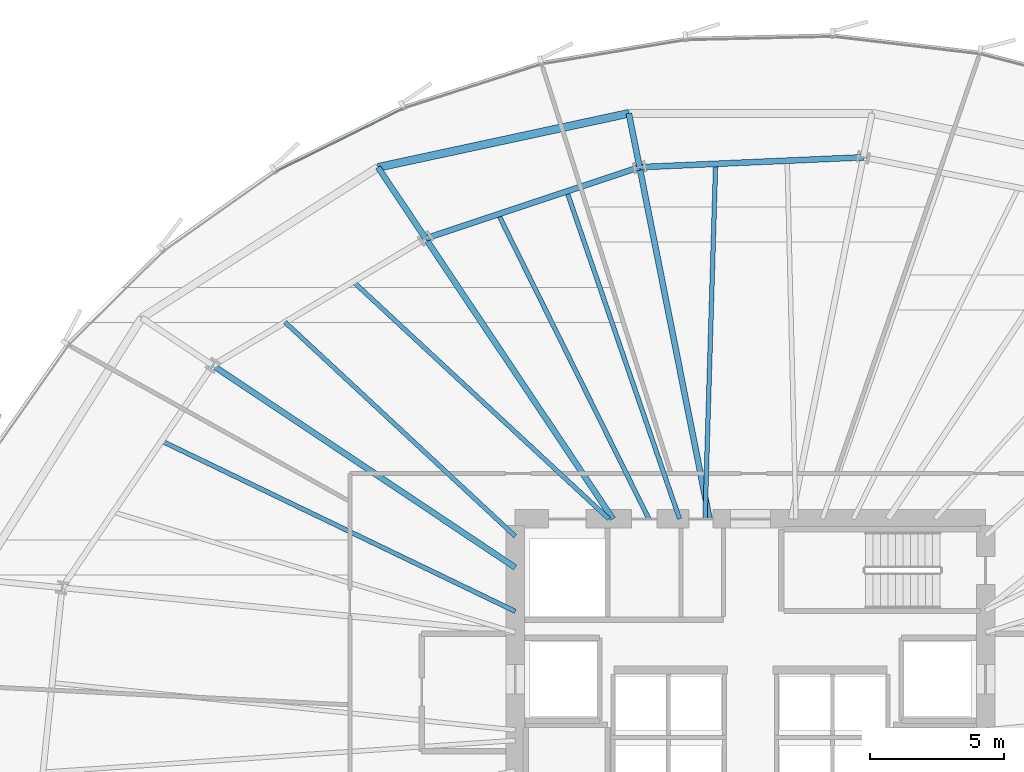
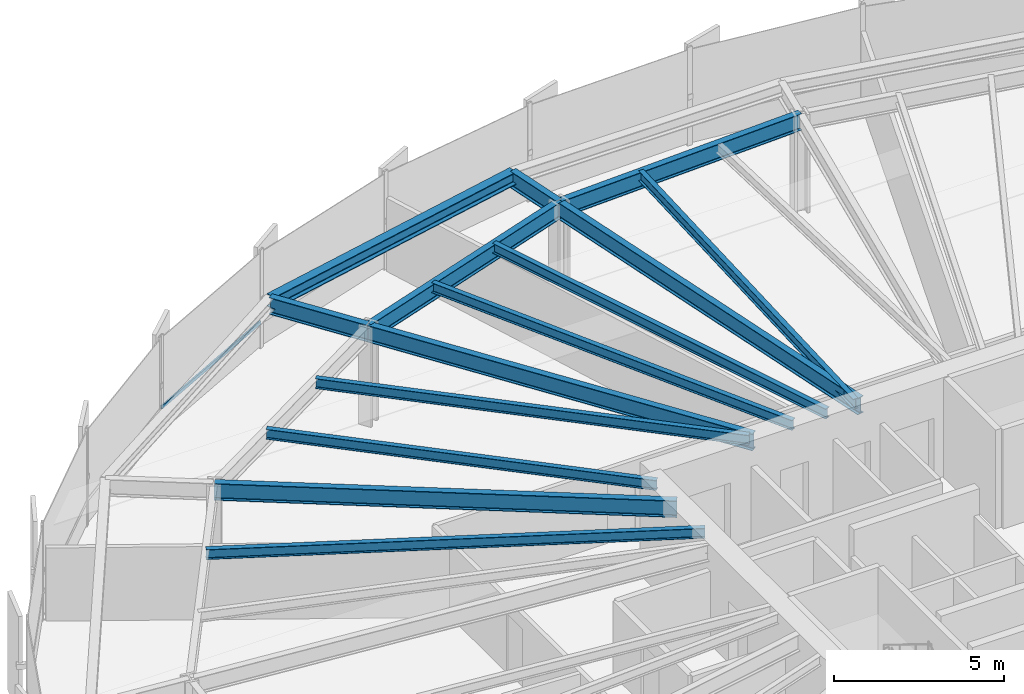
# One storey, part 20 of 38: 14 beams, 1 member, 1 element without a shape of its own.
"""IFC4 building model written with IfcOpenShell, lengths in metres."""

from ifc_helpers import new_model, si_unit, direction, frame, origin, origin_2d, place, context, subcontext, project, spatial, hollow_rectangle, i_section, extrude, source, transform, mapped, material, layer, layer_set, material_profile, profile_set, type_object, element, aggregate, save


model = new_model("IFC4")

# Units and contexts
model_context = context("Model", 3, precision=1e-05, world=origin(), true_north=direction((0.0, 1.0)))
body_context = subcontext(model_context, "Body", "Model", "MODEL_VIEW")
ifc_project = project(units=[si_unit("LENGTHUNIT", "METRE"), si_unit("AREAUNIT", "SQUARE_METRE"), si_unit("VOLUMEUNIT", "CUBIC_METRE"), si_unit("PLANEANGLEUNIT", "RADIAN"), si_unit("MASSUNIT", "GRAM", prefix="KILO"), si_unit("THERMODYNAMICTEMPERATUREUNIT", "KELVIN")], contexts=[model_context])

# Site, building, storey
site_placement = place(None, origin())
site = spatial("IfcSite", under=ifc_project, at=site_placement, CompositionType="ELEMENT")
building_placement = place(site_placement, origin())
building = spatial("IfcBuilding", under=site, at=building_placement, Name="Kethvar Cultural Tower", CompositionType="ELEMENT")
storey_placement = place(building_placement, frame((0.0, 0.0, 52.39990234375)))
storey = spatial("IfcBuildingStorey", under=building, at=storey_placement, Name="L12", CompositionType="ELEMENT", Elevation=52.39990234375)

# Beams
ifc_material_1 = material(Name="Steel S355J2", Category="steel")
ifc_material_profile_1 = material_profile(ifc_material_1, i_section(OverallWidth=0.219970703125, OverallDepth=0.60009765625, WebThickness=0.011962890625, FlangeThickness=0.01904296875, FilletRadius=0.02392578125, at=origin_2d()), Name="Steel S355J2 — IPE600")
ifc_profile_set_1 = profile_set([ifc_material_profile_1], Name="Steel S355J2 — IPE600")
beam_type_1 = type_object("IfcBeamType", Name="BM-IPE600", PredefinedType="BEAM", material=ifc_profile_set_1)
shared_shape_1 = source(origin(), body_context, "Body", "SweptSolid", [
    extrude(i_section(OverallWidth=0.219970703125, OverallDepth=0.60009765625, WebThickness=0.011962890625, FlangeThickness=0.01904296875, FilletRadius=0.02392578125, at=origin_2d()), origin(), (0.0, 0.0, 1.0), 3.199951171875),
])
beam_1_placement = place(storey_placement, frame((34.64599609375, 45.98974609375, 3.248046875), z_axis=(-0.555580212716, 0.831462943996, 0.0), x_axis=(-0.831462943996, -0.555580212716, 0.0)))
element("IfcBeam", 1, at=beam_1_placement, inside=storey, type_object=beam_type_1, Name="L12 Perimeter Cantilever Beam RC-06", PredefinedType="BEAM", context=body_context, shape_type="MappedRepresentation", body=[
    mapped(shared_shape_1, transform((0.0, 0.0, 0.0), scale=1.0)),
])
shared_shape_2 = source(origin(), body_context, "Body", "SweptSolid", [
    extrude(i_section(OverallWidth=0.219970703125, OverallDepth=0.60009765625, WebThickness=0.011962890625, FlangeThickness=0.01904296875, FilletRadius=0.02392578125, at=origin_2d()), origin(), (0.0, 0.0, 1.0), 13.41357421875),
])
beam_2_placement = place(storey_placement, frame((45.268310546875, 35.5, 3.248046875), z_axis=(-0.195079960025, 0.980787341474, 0.0), x_axis=(-0.980787341474, -0.195079960025, 0.0)))
element("IfcBeam", 2, at=beam_2_placement, inside=storey, type_object=beam_type_1, Name="L12 Primary Radial Beam RB-05", PredefinedType="BEAM", context=body_context, shape_type="MappedRepresentation", body=[
    mapped(shared_shape_2, transform((0.0, 0.0, 0.0), scale=1.0)),
])
shared_shape_3 = source(origin(), body_context, "Body", "SweptSolid", [
    extrude(i_section(OverallWidth=0.219970703125, OverallDepth=0.60009765625, WebThickness=0.011962890625, FlangeThickness=0.01904296875, FilletRadius=0.02392578125, at=origin_2d()), origin(), (0.0, 0.0, 1.0), 12.615966796875),
])
beam_3_placement = place(storey_placement, frame((41.655029296875, 35.5, 3.248046875), z_axis=(-0.555570723257, 0.831469284736, 0.0), x_axis=(-0.831469284736, -0.555570723257, 0.0)))
element("IfcBeam", 3, at=beam_3_placement, inside=storey, type_object=beam_type_1, Name="L12 Primary Radial Beam RB-06", PredefinedType="BEAM", context=body_context, shape_type="MappedRepresentation", body=[
    mapped(shared_shape_3, transform((0.0, 0.0, 0.0), scale=1.0)),
])
shared_shape_4 = source(origin(), body_context, "Body", "SweptSolid", [
    extrude(i_section(OverallWidth=0.219970703125, OverallDepth=0.60009765625, WebThickness=0.011962890625, FlangeThickness=0.01904296875, FilletRadius=0.02392578125, at=origin_2d()), origin(), (0.0, 0.0, 1.0), 13.60888671875),
])
beam_4_placement = place(storey_placement, frame((38.0, 33.679931640625, 3.248046875), z_axis=(-0.831467486755, 0.555573414113, 0.0), x_axis=(-0.555573414113, -0.831467486755, 0.0)))
element("IfcBeam", 4, at=beam_4_placement, inside=storey, type_object=beam_type_1, Name="L12 Primary Radial Beam RB-07", PredefinedType="BEAM", context=body_context, shape_type="MappedRepresentation", body=[
    mapped(shared_shape_4, transform((0.0, 0.0, 0.0), scale=1.0)),
])
shared_shape_5 = source(origin(), body_context, "Body", "SweptSolid", [
    extrude(i_section(OverallWidth=0.219970703125, OverallDepth=0.60009765625, WebThickness=0.011962890625, FlangeThickness=0.01904296875, FilletRadius=0.02392578125, at=origin_2d()), origin(), (0.0, 0.0, 1.0), 8.378662109375),
])
beam_5_placement = place(storey_placement, frame((51.022216796875, 49.02587890625, 3.248046875), z_axis=(-0.999023890534, -0.04417313825, 0.0), x_axis=(0.04417313825, -0.999023890534, 0.0)))
element("IfcBeam", 5, at=beam_5_placement, inside=storey, type_object=beam_type_1, Name="L12 Column Ring Tie Beam CR-04", PredefinedType="BEAM", context=body_context, shape_type="MappedRepresentation", body=[
    mapped(shared_shape_5, transform((0.0, 0.0, 0.0), scale=1.0)),
])
ifc_material_profile_2 = material_profile(ifc_material_1, i_section(OverallWidth=0.169921875, OverallDepth=0.360107421875, WebThickness=0.008056640625, FlangeThickness=0.0126953125, FilletRadius=0.01806640625, at=origin_2d()), Name="Steel S355J2 — IPE360")
ifc_profile_set_2 = profile_set([ifc_material_profile_2], Name="Steel S355J2 — IPE360")
beam_type_2 = type_object("IfcBeamType", Name="BM-J360", PredefinedType="JOIST", material=ifc_profile_set_2)
shared_shape_6 = source(origin(), body_context, "Body", "SweptSolid", [
    extrude(i_section(OverallWidth=0.169921875, OverallDepth=0.360107421875, WebThickness=0.008056640625, FlangeThickness=0.0126953125, FilletRadius=0.01806640625, at=origin_2d()), origin(), (0.0, 0.0, 1.0), 13.287353515625),
])
beam_6_placement = place(storey_placement, frame((45.10009765625, 35.5, 3.3681640625), z_axis=(0.029912529234, 0.999552520178, 0.0), x_axis=(-0.999552520178, 0.029912529234, 0.0)))
element("IfcBeam", 6, at=beam_6_placement, inside=storey, type_object=beam_type_2, Name="L12 Composite Floor Joist J-04B", PredefinedType="JOIST", context=body_context, shape_type="MappedRepresentation", body=[
    mapped(shared_shape_6, transform((0.0, 0.0, 0.0), scale=1.0)),
])
shared_shape_7 = source(origin(), body_context, "Body", "SweptSolid", [
    extrude(i_section(OverallWidth=0.219970703125, OverallDepth=0.60009765625, WebThickness=0.011962890625, FlangeThickness=0.01904296875, FilletRadius=0.02392578125, at=origin_2d()), origin(), (0.0, 0.0, 1.0), 8.437744140625),
])
beam_7_placement = place(storey_placement, frame((42.651611328125, 48.65576171875, 3.248046875), z_axis=(-0.948772955115, -0.315958667618, 0.0), x_axis=(0.315958667618, -0.948772955115, 0.0)))
element("IfcBeam", 7, at=beam_7_placement, inside=storey, type_object=beam_type_1, Name="L12 Column Ring Tie Beam CR-05", PredefinedType="BEAM", context=body_context, shape_type="MappedRepresentation", body=[
    mapped(shared_shape_7, transform((0.0, 0.0, 0.0), scale=1.0)),
])
shared_shape_8 = source(origin(), body_context, "Body", "SweptSolid", [
    extrude(i_section(OverallWidth=0.169921875, OverallDepth=0.360107421875, WebThickness=0.008056640625, FlangeThickness=0.0126953125, FilletRadius=0.01806640625, at=origin_2d()), origin(), (0.0, 0.0, 1.0), 12.955322265625),
])
beam_8_placement = place(storey_placement, frame((44.148193359375, 35.5, 3.3681640625), z_axis=(-0.325619549533, 0.945500877293, 0.0), x_axis=(-0.945500877293, -0.325619549533, 0.0)))
element("IfcBeam", 8, at=beam_8_placement, inside=storey, type_object=beam_type_2, Name="L12 Composite Floor Joist J-05A", PredefinedType="JOIST", context=body_context, shape_type="MappedRepresentation", body=[
    mapped(shared_shape_8, transform((0.0, 0.0, 0.0), scale=1.0)),
])
shared_shape_9 = source(origin(), body_context, "Body", "SweptSolid", [
    extrude(i_section(OverallWidth=0.169921875, OverallDepth=0.360107421875, WebThickness=0.008056640625, FlangeThickness=0.0126953125, FilletRadius=0.01806640625, at=origin_2d()), origin(), (0.0, 0.0, 1.0), 12.710693359375),
])
beam_9_placement = place(storey_placement, frame((42.996826171875, 35.5, 3.3681640625), z_axis=(-0.442851992051, 0.896594731825, 0.0), x_axis=(-0.896594731825, -0.442851992051, 0.0)))
element("IfcBeam", 9, at=beam_9_placement, inside=storey, type_object=beam_type_2, Name="L12 Composite Floor Joist J-05B", PredefinedType="JOIST", context=body_context, shape_type="MappedRepresentation", body=[
    mapped(shared_shape_9, transform((0.0, 0.0, 0.0), scale=1.0)),
])
shared_shape_10 = source(origin(), body_context, "Body", "SweptSolid", [
    extrude(i_section(OverallWidth=0.169921875, OverallDepth=0.360107421875, WebThickness=0.008056640625, FlangeThickness=0.0126953125, FilletRadius=0.01806640625, at=origin_2d()), origin(), (0.0, 0.0, 1.0), 13.045166015625),
])
beam_10_placement = place(storey_placement, frame((41.5, 35.5, 3.3681640625), z_axis=(-0.732903465528, 0.680332646737, 0.0), x_axis=(-0.680332646737, -0.732903465528, 0.0)))
element("IfcBeam", 10, at=beam_10_placement, inside=storey, type_object=beam_type_2, Name="L12 Composite Floor Joist J-06A", PredefinedType="JOIST", context=body_context, shape_type="MappedRepresentation", body=[
    mapped(shared_shape_10, transform((0.0, 0.0, 0.0), scale=1.0)),
])
shared_shape_11 = source(origin(), body_context, "Body", "SweptSolid", [
    extrude(i_section(OverallWidth=0.169921875, OverallDepth=0.360107421875, WebThickness=0.008056640625, FlangeThickness=0.0126953125, FilletRadius=0.01806640625, at=origin_2d()), origin(), (0.0, 0.0, 1.0), 11.75537109375),
])
beam_11_placement = place(storey_placement, frame((38.0, 34.85009765625, 3.3681640625), z_axis=(-0.732290300234, 0.680992596276, 0.0), x_axis=(-0.680992596276, -0.732290300234, 0.0)))
element("IfcBeam", 11, at=beam_11_placement, inside=storey, type_object=beam_type_2, Name="L12 Composite Floor Joist J-06B", PredefinedType="JOIST", context=body_context, shape_type="MappedRepresentation", body=[
    mapped(shared_shape_11, transform((0.0, 0.0, 0.0), scale=1.0)),
])
shared_shape_12 = source(origin(), body_context, "Body", "SweptSolid", [
    extrude(i_section(OverallWidth=0.169921875, OverallDepth=0.360107421875, WebThickness=0.008056640625, FlangeThickness=0.0126953125, FilletRadius=0.01806640625, at=origin_2d()), origin(), (0.0, 0.0, 1.0), 14.687255859375),
])
beam_12_placement = place(storey_placement, frame((38.0, 32.038818359375, 3.3681640625), z_axis=(-0.900928984091, 0.433966548971, 0.0), x_axis=(-0.433966548971, -0.900928984091, 0.0)))
element("IfcBeam", 12, at=beam_12_placement, inside=storey, type_object=beam_type_2, Name="L12 Composite Floor Joist J-07A", PredefinedType="JOIST", context=body_context, shape_type="MappedRepresentation", body=[
    mapped(shared_shape_12, transform((0.0, 0.0, 0.0), scale=1.0)),
])
shared_shape_13 = source(origin(), body_context, "Body", "SweptSolid", [
    extrude(i_section(OverallWidth=0.219970703125, OverallDepth=0.60009765625, WebThickness=0.011962890625, FlangeThickness=0.01904296875, FilletRadius=0.02392578125, at=origin_2d()), origin(), (0.0, 0.0, 1.0), 2.05419921875),
])
beam_13_placement = place(storey_placement, frame((42.651611328125, 48.65576171875, 3.248046875), z_axis=(-0.195156077321, 0.980772198568, 0.0), x_axis=(-0.980772198568, -0.195156077321, 0.0)))
element("IfcBeam", 13, at=beam_13_placement, inside=storey, type_object=beam_type_1, Name="L12 Perimeter Cantilever Beam RC-05", PredefinedType="BEAM", context=body_context, shape_type="MappedRepresentation", body=[
    mapped(shared_shape_13, transform((0.0, 0.0, 0.0), scale=1.0)),
])
ifc_material_profile_3 = material_profile(ifc_material_1, i_section(OverallWidth=0.300048828125, OverallDepth=0.449951171875, WebThickness=0.013916015625, FlangeThickness=0.02587890625, FilletRadius=0.027099609375, at=origin_2d()), Name="Steel S355J2 — HEB450")
ifc_profile_set_3 = profile_set([ifc_material_profile_3], Name="Steel S355J2 — HEB450")
beam_type_3 = type_object("IfcBeamType", Name="BM-SP450", PredefinedType="SPANDREL", material=ifc_profile_set_3)
shared_shape_14 = source(origin(), body_context, "Body", "SweptSolid", [
    extrude(i_section(OverallWidth=0.300048828125, OverallDepth=0.449951171875, WebThickness=0.013916015625, FlangeThickness=0.02587890625, FilletRadius=0.027099609375, at=origin_2d()), origin(), (0.0, 0.0, 1.0), 9.59765625),
])
beam_14_placement = place(storey_placement, frame((42.250732421875, 50.67041015625, 3.322998046875), z_axis=(-0.977599821673, -0.210472299043, 0.0), x_axis=(0.210472299043, -0.977599821673, 0.0)))
element("IfcBeam", 14, at=beam_14_placement, inside=storey, type_object=beam_type_3, Name="L12 Perimeter Spandrel Beam SP-05", PredefinedType="SPANDREL", context=body_context, shape_type="MappedRepresentation", body=[
    mapped(shared_shape_14, transform((0.0, 0.0, 0.0), scale=1.0)),
])

# Curtain wall, member
ifc_material_2 = material(Name="Aluminium 6063-T6", Category="aluminium")
ifc_layer = layer(ifc_material_2, 0.179931640625, Name="Aluminium 6063-T6", Category="aluminium")
ifc_layer_set = layer_set([ifc_layer], Name="Aluminium 6063-T6 (180 mm)")
curtain_wall_type = type_object("IfcCurtainWallType", Name="CW-SYS-02-Z1", PredefinedType="NOTDEFINED", material=ifc_layer_set)
curtain_wall_placement = place(storey_placement, origin())
curtain_wall = element("IfcCurtainWall", 15, at=curtain_wall_placement, inside=storey, type_object=curtain_wall_type, Name="L12 Curtain Wall Run 02", PredefinedType="NOTDEFINED")
ifc_material_profile_4 = material_profile(ifc_material_2, hollow_rectangle(XDim=0.054931640625, YDim=0.1201171875, WallThickness=0.00390625, at=origin_2d()), Name="Aluminium 6063-T6 — RHS120x55x4")
ifc_profile_set_4 = profile_set([ifc_material_profile_4], Name="Aluminium 6063-T6 — RHS120x55x4")
member_type = type_object("IfcMemberType", Name="CW-SYS-02-Z1-TRN", PredefinedType="USERDEFINED", material=ifc_profile_set_4)
shared_shape_15 = source(origin(), body_context, "Body", "SweptSolid", [
    extrude(hollow_rectangle(XDim=0.054931640625, YDim=0.1201171875, WallThickness=0.00390625, at=origin_2d()), origin(), (0.0, 0.0, 1.0), 5.239013671875),
])
member_placement = place(storey_placement, frame((33.78955078125, 50.837646484375, 0.9501953125), z_axis=(-0.896320421575, -0.443406925823, 0.0), x_axis=(0.443406925823, -0.896320421575, 0.0)))
member = element("IfcMember", 16, at=member_placement, type_object=member_type, Name="CW-L12-R02 Transom 6", ObjectType="TRANSOM", PredefinedType="USERDEFINED", context=body_context, shape_type="MappedRepresentation", body=[
    mapped(shared_shape_15, transform((0.0, 0.0, 0.0), scale=1.0)),
])
aggregate(curtain_wall, [member])

save(model, "model.ifc")
